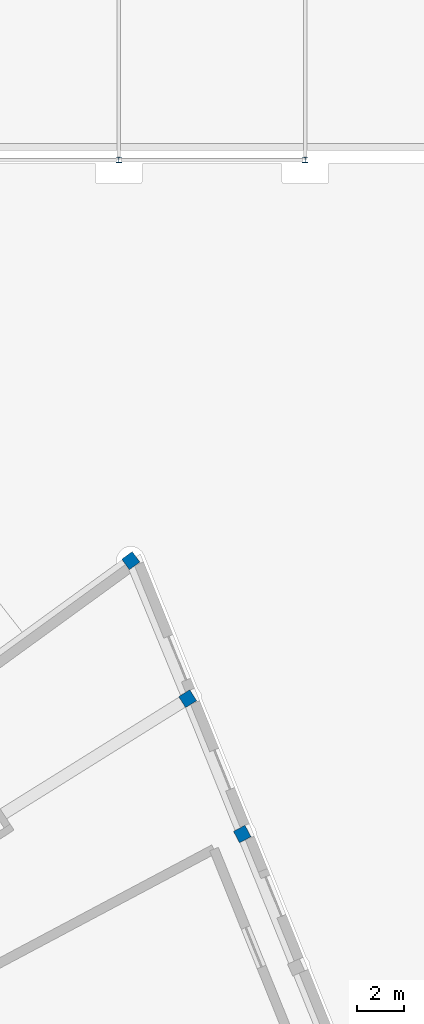
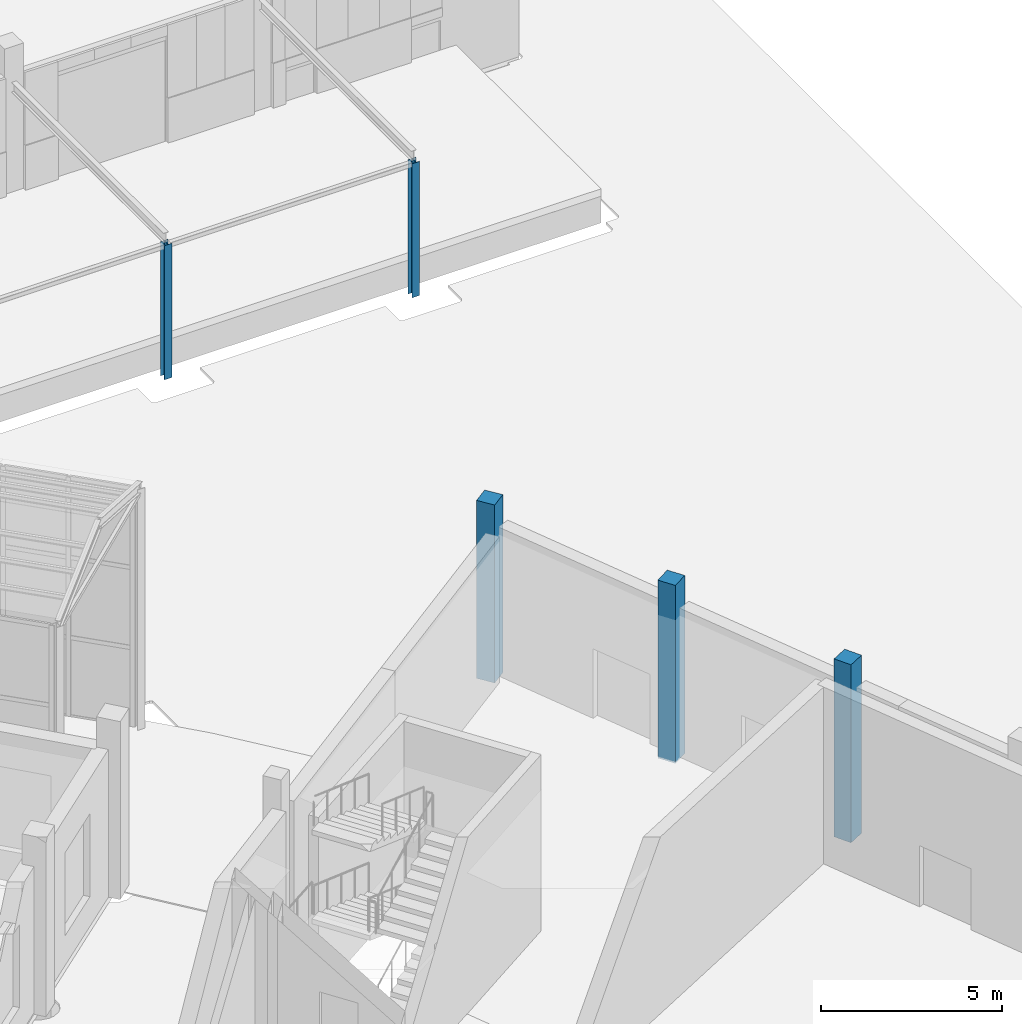
# One storey, part 18 of 155: 5 columns.
"""IFC4 building model written with IfcOpenShell, lengths in metres."""

from ifc_helpers import new_model, si_unit, direction, frame, origin, origin_2d, place, context, subcontext, project, spatial, rectangle, i_section, extrude, material, material_profile, profile_set, type_object, element, save


model = new_model("IFC4")

# Units and contexts
model_context = context("Model", 3, precision=1e-05, world=origin(), true_north=direction((0.0, 1.0)))
body_context = subcontext(model_context, "Body", "Model", "MODEL_VIEW")
ifc_project = project(units=[si_unit("LENGTHUNIT", "METRE"), si_unit("AREAUNIT", "SQUARE_METRE"), si_unit("VOLUMEUNIT", "CUBIC_METRE"), si_unit("PLANEANGLEUNIT", "RADIAN"), si_unit("MASSUNIT", "GRAM", prefix="KILO")], contexts=[model_context])

# Site, building, storey
site_placement = place(None, origin())
site = spatial("IfcSite", under=ifc_project, at=site_placement, CompositionType="ELEMENT")
building_placement = place(site_placement, origin())
building = spatial("IfcBuilding", under=site, at=building_placement, Name="Lunette Opera House", CompositionType="ELEMENT")
storey_placement = place(building_placement, origin())
storey = spatial("IfcBuildingStorey", under=building, at=storey_placement, Name="L00", CompositionType="ELEMENT", Elevation=0.0)

# Columns
ifc_material_1 = material(Name="Concrete C35/45", Category="concrete")
ifc_material_profile_1 = material_profile(ifc_material_1, rectangle(XDim=0.550048828125, YDim=0.550048828125, at=origin_2d()), Name="RC COLUMN 550X550")
ifc_profile_set_1 = profile_set([ifc_material_profile_1], Name="Concrete C35/45")
column_type_1 = type_object("IfcColumnType", Name="RC COLUMN 550X550", PredefinedType="COLUMN", material=ifc_profile_set_1)
for number, where, z_axis, x_axis, name in (
    (1, (168.406982421875, 52.60693359375, 0.0), (0.0, 0.0, 1.0), (0.587785252292, -0.809016994375, 0.0), "col-SB-L00-C20"),
    (2, (170.818115234375, 46.751953125, 0.0), (0.0, 0.0, 1.0), (0.529919264233, -0.848048096156, 0.0), "col-SB-L00-C21"),
    (3, (173.133056640625, 41.011962890625, 0.0), (0.0, 0.0, 1.0), (0.469471562786, -0.882947592859, 0.0), "col-SB-L00-C22"),
):
    element("IfcColumn", number, at=place(storey_placement, frame(where, z_axis=z_axis, x_axis=x_axis)), inside=storey, type_object=column_type_1, Name=name, PredefinedType="COLUMN", context=body_context, shape_type="SweptSolid", body=[
        extrude(rectangle(XDim=0.550048828125, YDim=0.550048828125, at=origin_2d()), origin(), (0.0, 0.0, 1.0), 6.0),
    ])
ifc_material_2 = material(Name="Steel S355", Category="steel")
ifc_material_profile_2 = material_profile(ifc_material_2, i_section(OverallWidth=0.239990234375, OverallDepth=0.22998046875, WebThickness=0.007568359375, FlangeThickness=0.011962890625, FilletRadius=0.02099609375, at=origin_2d()), Name="HEA 240")
ifc_profile_set_2 = profile_set([ifc_material_profile_2], Name="Steel S355")
column_type_2 = type_object("IfcColumnType", Name="STEEL COLUMN HEA 240", PredefinedType="COLUMN", material=ifc_profile_set_2)
for number, where, z_axis, x_axis, name in (
    (4, (167.89990234375, 69.60009765625, -0.050048828125), (0.0, 0.0, 1.0), (1.0, 0.0, 0.0), "col-WW-L00-DC3"),
    (5, (175.800048828125, 69.60009765625, -0.050048828125), (0.0, 0.0, 1.0), (1.0, 0.0, 0.0), "col-WW-L00-DC4"),
):
    element("IfcColumn", number, at=place(storey_placement, frame(where, z_axis=z_axis, x_axis=x_axis)), inside=storey, type_object=column_type_2, Name=name, PredefinedType="COLUMN", context=body_context, shape_type="SweptSolid", body=[
        extrude(i_section(OverallWidth=0.239990234375, OverallDepth=0.22998046875, WebThickness=0.007568359375, FlangeThickness=0.011962890625, FilletRadius=0.02099609375, at=origin_2d()), origin(), (0.0, 0.0, 1.0), 4.52001953125),
    ])

save(model, "model.ifc")
